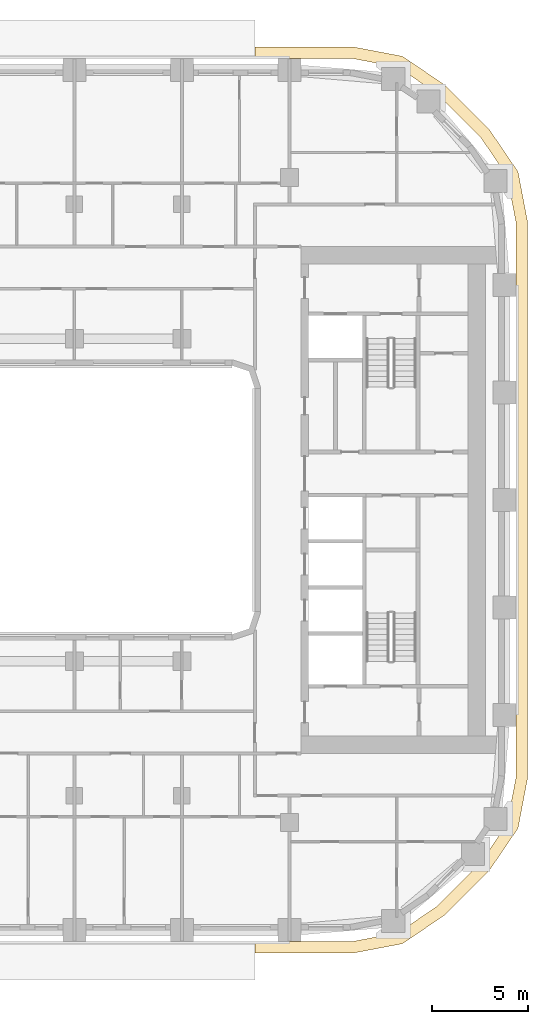
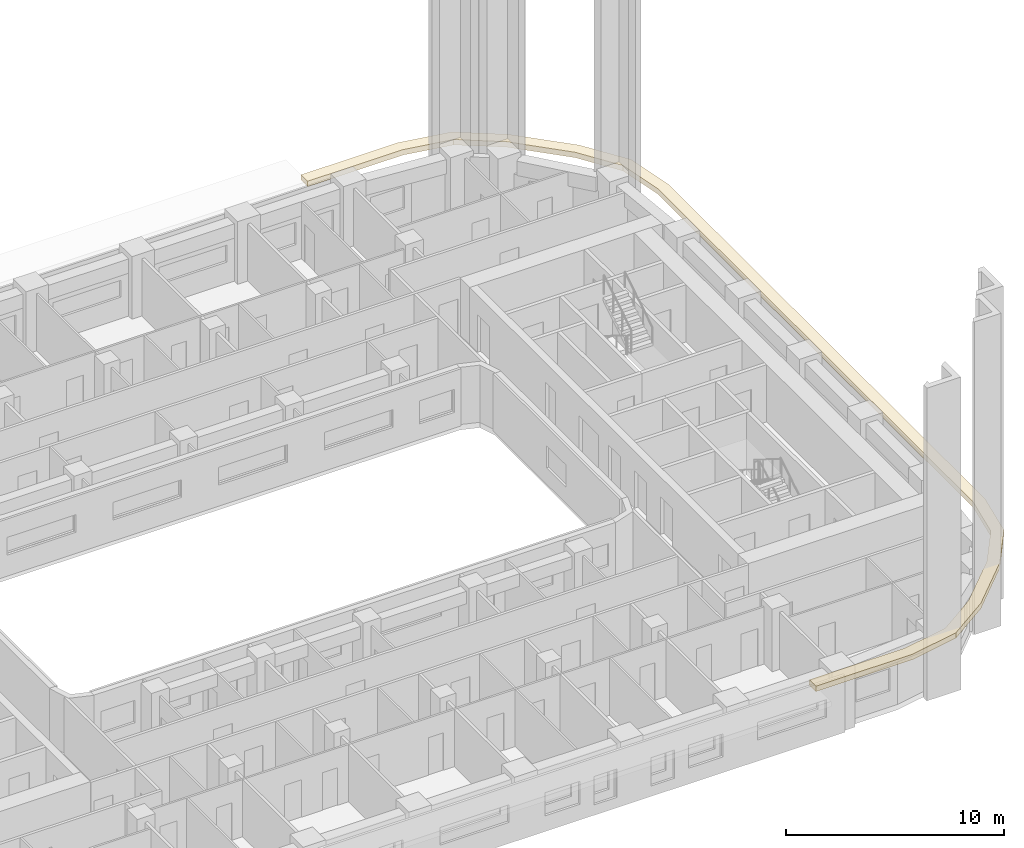
# One storey, part 19 of 23: 1 covering.
"""IFC4 building model written with IfcOpenShell, lengths in metres."""

from ifc_helpers import new_model, si_unit, direction, frame, origin, place, context, subcontext, project, spatial, polyline, outline, extrude, material, layer, layer_set, type_object, element, save


model = new_model("IFC4")

# Units and contexts
model_context = context("Model", 3, precision=1e-05, world=origin(), true_north=direction((0.0, 1.0)))
body_context = subcontext(model_context, "Body", "Model", "MODEL_VIEW")
ifc_project = project(units=[si_unit("LENGTHUNIT", "METRE"), si_unit("AREAUNIT", "SQUARE_METRE"), si_unit("VOLUMEUNIT", "CUBIC_METRE"), si_unit("PLANEANGLEUNIT", "RADIAN"), si_unit("MASSUNIT", "GRAM", prefix="KILO")], contexts=[model_context])

# Site, building, storey
site_placement = place(None, origin())
site = spatial("IfcSite", under=ifc_project, at=site_placement, CompositionType="ELEMENT")
building_placement = place(site_placement, origin())
building = spatial("IfcBuilding", under=site, at=building_placement, Name="Kiln Ring Residences", CompositionType="ELEMENT")
storey_placement = place(building_placement, frame((0.0, 0.0, 107.800048828125)))
storey = spatial("IfcBuildingStorey", under=building, at=storey_placement, Name="L27", CompositionType="ELEMENT", Elevation=107.800048828125)

# Covering
ifc_material = material(Name="Black powder-coated steel", Category="steel")
ifc_layer = layer(ifc_material, 0.300048828125)
ifc_layer_set = layer_set([ifc_layer], Name="SUNSHADE FIN 600")
covering_type = type_object("IfcCoveringType", Name="SUNSHADE FIN 600", PredefinedType="CLADDING", material=ifc_layer_set)
covering_placement = place(storey_placement, frame((0.0, 0.0, 3.199951171875)))
element("IfcCovering", 1, at=covering_placement, inside=storey, type_object=covering_type, Name="SUNSHADE FIN L27", PredefinedType="CLADDING", context=body_context, shape_type="SweptSolid", body=[
    extrude(outline(polyline([(20.11328125, 23.60009765625), (15.0, 23.60009765625), (15.0, 23.0), (20.056640625, 23.0), (22.458740234375, 22.541748046875), (24.481201171875, 21.167236328125), (26.767333984375, 18.881103515625), (28.141845703125, 16.858642578125), (28.60009765625, 14.456787109375), (28.60009765625, -14.456787109375), (28.141845703125, -16.858642578125), (26.767333984375, -18.881103515625), (24.481201171875, -21.167236328125), (22.458740234375, -22.541748046875), (20.056640625, -23.0), (15.0, -23.0), (15.0, -23.60009765625), (20.11328125, -23.60009765625), (22.693115234375, -23.10791015625), (24.865478515625, -21.631591796875), (27.231689453125, -19.265380859375), (28.7080078125, -17.09326171875), (29.199951171875, -14.513427734375), (29.199951171875, 14.513427734375), (28.7080078125, 17.09326171875), (27.231689453125, 19.265380859375), (24.865478515625, 21.631591796875), (22.693115234375, 23.10791015625), (20.11328125, 23.60009765625)])), origin(), (0.0, 0.0, 1.0), 0.300048828125),
])

save(model, "model.ifc")
